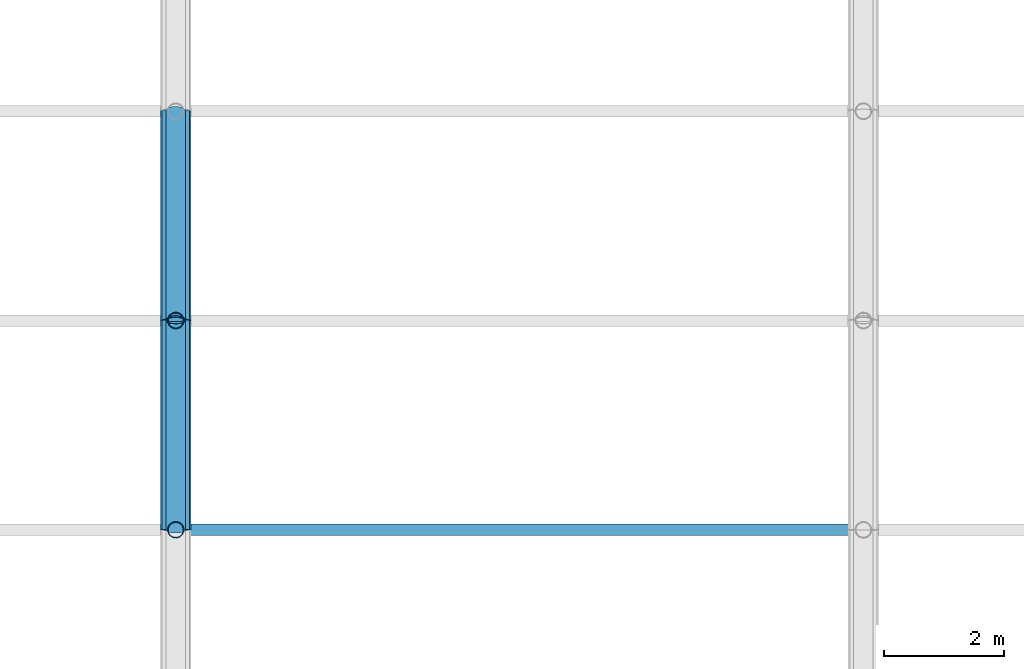
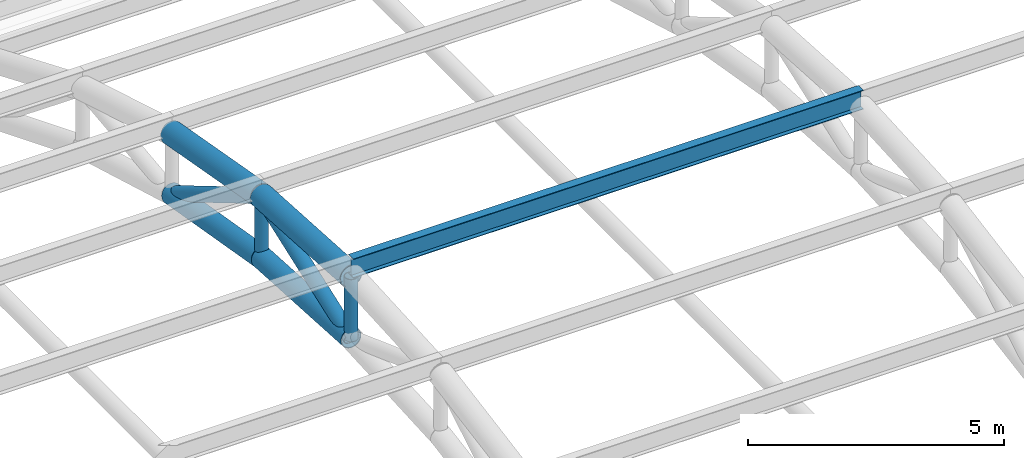
# One storey, part 62 of 154: 9 members.
"""IFC4 building model written with IfcOpenShell, lengths in metres."""

from ifc_helpers import new_model, si_unit, direction, frame, origin, origin_2d, place, context, subcontext, project, spatial, hollow_circle, i_section, extrude, material, material_profile, profile_set, type_object, element, save


model = new_model("IFC4")

# Units and contexts
model_context = context("Model", 3, precision=1e-05, world=origin(), true_north=direction((0.0, 1.0)))
body_context = subcontext(model_context, "Body", "Model", "MODEL_VIEW")
ifc_project = project(units=[si_unit("LENGTHUNIT", "METRE"), si_unit("AREAUNIT", "SQUARE_METRE"), si_unit("VOLUMEUNIT", "CUBIC_METRE"), si_unit("PLANEANGLEUNIT", "RADIAN"), si_unit("MASSUNIT", "GRAM", prefix="KILO")], contexts=[model_context])

# Site, building, storey
site_placement = place(None, origin())
site = spatial("IfcSite", under=ifc_project, at=site_placement, CompositionType="ELEMENT")
building_placement = place(site_placement, origin())
building = spatial("IfcBuilding", under=site, at=building_placement, Name="Ologun Quay Terminus", CompositionType="ELEMENT")
storey_placement = place(building_placement, frame((0.0, 0.0, 13.800048828125)))
storey = spatial("IfcBuildingStorey", under=building, at=storey_placement, Name="L03", CompositionType="ELEMENT", Elevation=13.800048828125)

# Members
ifc_material_1 = material(Name="Steel S355", Category="steel")
ifc_material_profile_1 = material_profile(ifc_material_1, hollow_circle(Radius=0.136474609375, WallThickness=0.010009765625, at=origin_2d()), Name="CHS 273x10")
ifc_profile_set_1 = profile_set([ifc_material_profile_1], Name="Steel S355")
member_type_1 = type_object("IfcMemberType", Name="Arch Truss Vertical Post CHS273", PredefinedType="STRUT", material=ifc_profile_set_1)
member_1_placement = place(storey_placement, frame((115.0, 57.0, 7.239990234375), z_axis=(0.0, 0.0, 1.0), x_axis=(1.0, 0.0, 0.0)))
element("IfcMember", 1, at=member_1_placement, inside=storey, type_object=member_type_1, Name="AW2 Arch Web Post 11-N6", PredefinedType="STRUT", context=body_context, shape_type="SweptSolid", body=[
    extrude(hollow_circle(Radius=0.136474609375, WallThickness=0.010009765625, at=origin_2d()), origin(), (0.0, 0.0, 1.0), 1.47998046875),
])
member_2_placement = place(storey_placement, frame((115.0, 60.5, 7.038818359375), z_axis=(0.0, 0.0, 1.0), x_axis=(1.0, 0.0, 0.0)))
element("IfcMember", 2, at=member_2_placement, inside=storey, type_object=member_type_1, Name="AW2 Arch Web Post 11-N7", PredefinedType="STRUT", context=body_context, shape_type="SweptSolid", body=[
    extrude(hollow_circle(Radius=0.136474609375, WallThickness=0.010009765625, at=origin_2d()), origin(), (0.0, 0.0, 1.0), 1.47216796875),
])
ifc_material_2 = material(Name="Steel S355", Category="steel")
ifc_material_profile_2 = material_profile(ifc_material_2, hollow_circle(Radius=0.161865234375, WallThickness=0.010009765625, at=origin_2d()), Name="CHS 323.9x10")
ifc_profile_set_2 = profile_set([ifc_material_profile_2], Name="Steel S355")
member_type_2 = type_object("IfcMemberType", Name="Arch Truss Web Diagonal CHS323", PredefinedType="BRACE", material=ifc_profile_set_2)
member_3_placement = place(storey_placement, frame((115.0, 57.0, 7.239990234375), z_axis=(0.0, 0.939942650142, 0.34133241048), x_axis=(-1.0, 0.0, 0.0)))
element("IfcMember", 3, at=member_3_placement, inside=storey, type_object=member_type_2, Name="AW1 Arch Web Diagonal 11-P7", PredefinedType="BRACE", context=body_context, shape_type="SweptSolid", body=[
    extrude(hollow_circle(Radius=0.161865234375, WallThickness=0.010009765625, at=origin_2d()), origin(), (0.0, 0.0, 1.0), 3.7236328125),
])
member_4_placement = place(storey_placement, frame((115.0, 60.5, 8.510986328125), z_axis=(0.0, 0.860144332958, -0.510050709715), x_axis=(-1.0, 0.0, 0.0)))
element("IfcMember", 4, at=member_4_placement, inside=storey, type_object=member_type_2, Name="AW1 Arch Web Diagonal 11-P8", PredefinedType="BRACE", context=body_context, shape_type="SweptSolid", body=[
    extrude(hollow_circle(Radius=0.161865234375, WallThickness=0.010009765625, at=origin_2d()), origin(), (0.0, 0.0, 1.0), 4.069091796875),
])
ifc_material_3 = material(Name="Steel S355", Category="steel")
ifc_material_profile_3 = material_profile(ifc_material_3, hollow_circle(Radius=0.228515625, WallThickness=0.01611328125, at=origin_2d()), Name="CHS 457x16")
ifc_profile_set_3 = profile_set([ifc_material_profile_3], Name="Steel S355")
member_type_3 = type_object("IfcMemberType", Name="Parabolic Arch Bottom Chord CHS457", PredefinedType="CHORD", material=ifc_profile_set_3)
member_5_placement = place(storey_placement, frame((115.0, 57.0, 7.239990234375), z_axis=(0.0, 0.998352239869, -0.057382969144), x_axis=(-1.0, 0.0, 0.0)))
element("IfcMember", 5, at=member_5_placement, inside=storey, type_object=member_type_3, Name="AC2 Arch Bottom Chord 11-P7", PredefinedType="CHORD", context=body_context, shape_type="SweptSolid", body=[
    extrude(hollow_circle(Radius=0.228515625, WallThickness=0.01611328125, at=origin_2d()), origin(), (0.0, 0.0, 1.0), 3.505859375),
])
member_6_placement = place(storey_placement, frame((115.0, 60.5, 7.038818359375), z_axis=(0.0, 0.985468449185, -0.16985857547), x_axis=(-1.0, 0.0, 0.0)))
element("IfcMember", 6, at=member_6_placement, inside=storey, type_object=member_type_3, Name="AC2 Arch Bottom Chord 11-P8", PredefinedType="CHORD", context=body_context, shape_type="SweptSolid", body=[
    extrude(hollow_circle(Radius=0.228515625, WallThickness=0.01611328125, at=origin_2d()), origin(), (0.0, 0.0, 1.0), 3.551513671875),
])
ifc_material_4 = material(Name="Steel S355", Category="steel")
ifc_material_profile_4 = material_profile(ifc_material_4, hollow_circle(Radius=0.25390625, WallThickness=0.01611328125, at=origin_2d()), Name="CHS 508x16")
ifc_profile_set_4 = profile_set([ifc_material_profile_4], Name="Steel S355")
member_type_4 = type_object("IfcMemberType", Name="Parabolic Arch Top Chord CHS508", PredefinedType="CHORD", material=ifc_profile_set_4)
member_7_placement = place(storey_placement, frame((115.0, 57.0, 8.719970703125), z_axis=(0.0, 0.998222121157, -0.0596036646), x_axis=(-1.0, 0.0, 0.0)))
element("IfcMember", 7, at=member_7_placement, inside=storey, type_object=member_type_4, Name="Arch Top Chord 11-P7", PredefinedType="CHORD", context=body_context, shape_type="SweptSolid", body=[
    extrude(hollow_circle(Radius=0.25390625, WallThickness=0.01611328125, at=origin_2d()), origin(), (0.0, 0.0, 1.0), 3.50634765625),
])
member_8_placement = place(storey_placement, frame((115.0, 60.5, 8.510986328125), z_axis=(0.0, 0.984344289591, -0.176256402859), x_axis=(-1.0, 0.0, 0.0)))
element("IfcMember", 8, at=member_8_placement, inside=storey, type_object=member_type_4, Name="Arch Top Chord 11-P8", PredefinedType="CHORD", context=body_context, shape_type="SweptSolid", body=[
    extrude(hollow_circle(Radius=0.25390625, WallThickness=0.01611328125, at=origin_2d()), origin(), (0.0, 0.0, 1.0), 3.5556640625),
])
ifc_material_5 = material(Name="Steel S355", Category="steel")
ifc_material_profile_5 = material_profile(ifc_material_5, i_section(OverallWidth=0.1904296875, OverallDepth=0.45703125, WebThickness=0.009033203125, FlangeThickness=0.014404296875, at=origin_2d()), Name="UKB 457x191x74")
ifc_profile_set_5 = profile_set([ifc_material_profile_5], Name="Steel S355")
member_type_5 = type_object("IfcMemberType", Name="Train Shed Primary Roof Purlin UKB457", PredefinedType="PURLIN", material=ifc_profile_set_5)
member_9_placement = place(storey_placement, frame((115.0, 57.0, 8.948486328125), z_axis=(1.0, 0.0, 0.0), x_axis=(0.0, 1.0, 0.0)))
element("IfcMember", 9, at=member_9_placement, inside=storey, type_object=member_type_5, Name="PR1 Roof Purlin B11-N6", PredefinedType="PURLIN", context=body_context, shape_type="SweptSolid", body=[
    extrude(i_section(OverallWidth=0.1904296875, OverallDepth=0.45703125, WebThickness=0.009033203125, FlangeThickness=0.014404296875, at=origin_2d()), origin(), (0.0, 0.0, 1.0), 11.5),
])

save(model, "model.ifc")
